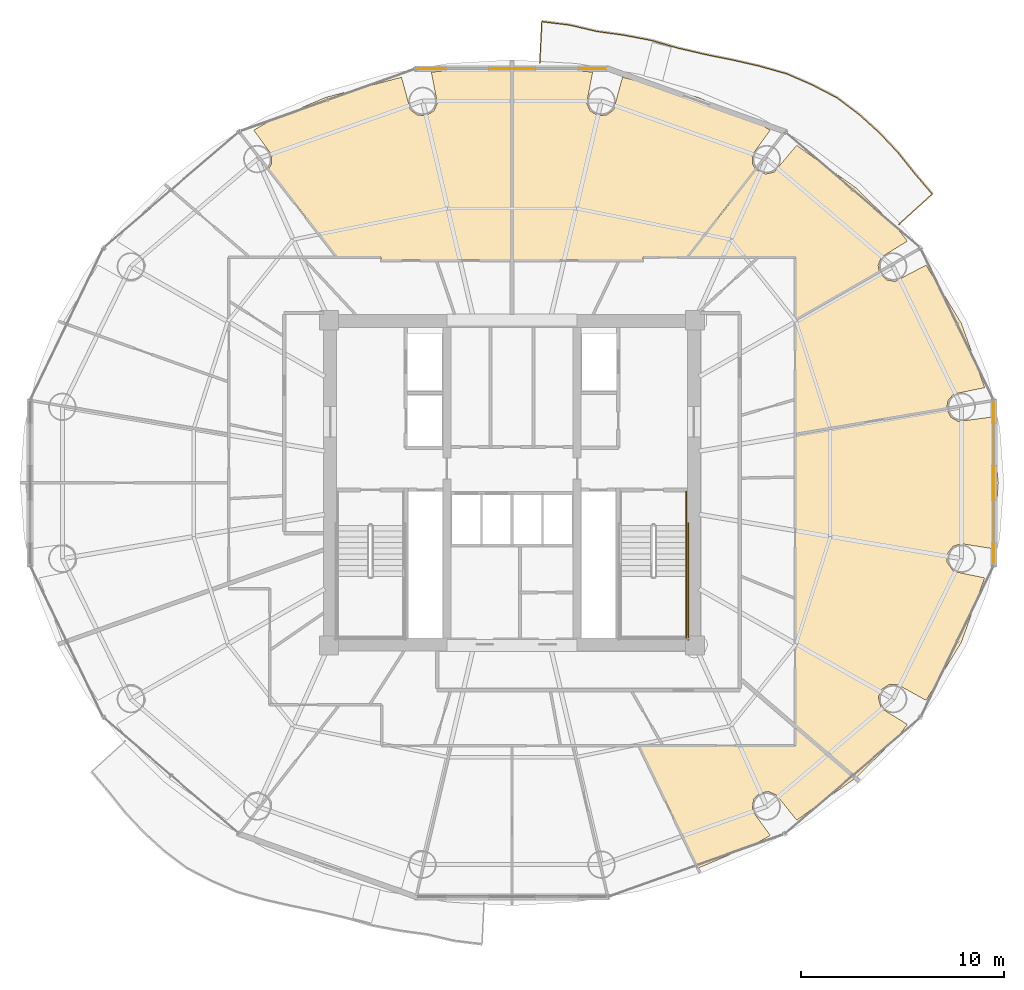
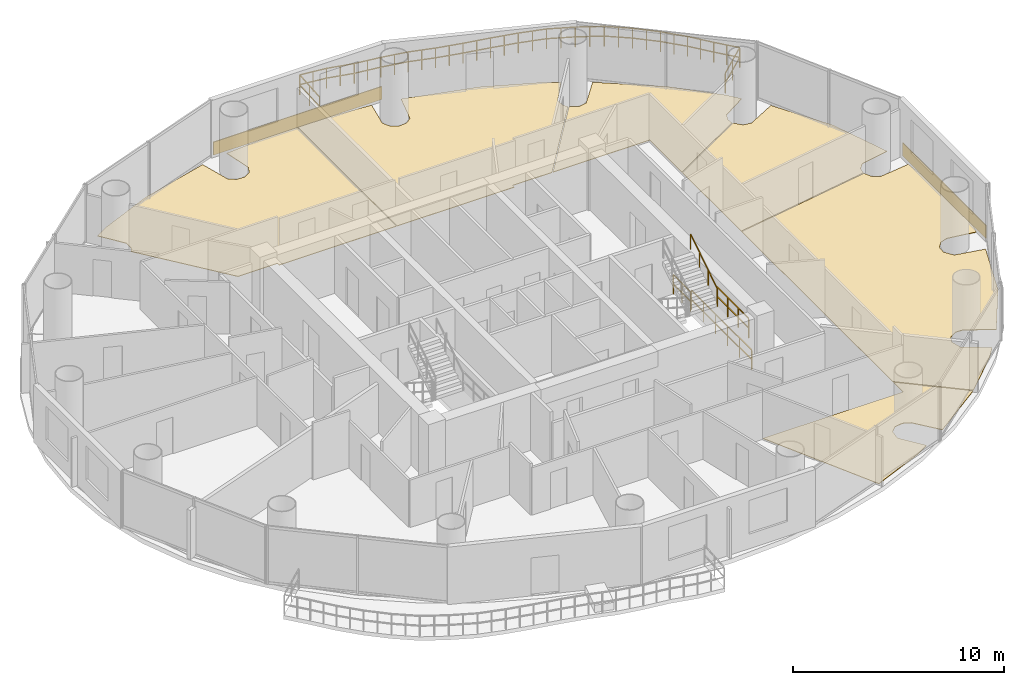
# One storey, part 27 of 27: 8 coverings, 5 railings.
"""IFC4 building model written with IfcOpenShell, lengths in metres."""

from ifc_helpers import new_model, si_unit, direction, frame, origin, origin_2d, place, context, subcontext, project, spatial, polyline, rectangle, outline, extrude, source, transform, mapped, material, layer, layer_set, type_object, element, save


model = new_model("IFC4")

# Units and contexts
model_context = context("Model", 3, precision=1e-05, world=origin(), true_north=direction((-0.2419218956, 0.970295726276)))
body_context = subcontext(model_context, "Body", "Model", "MODEL_VIEW")
ifc_project = project(units=[si_unit("LENGTHUNIT", "METRE"), si_unit("AREAUNIT", "SQUARE_METRE"), si_unit("VOLUMEUNIT", "CUBIC_METRE"), si_unit("PLANEANGLEUNIT", "RADIAN"), si_unit("MASSUNIT", "GRAM", prefix="KILO")], contexts=[model_context])

# Site, building, storey
site_placement = place(None, origin())
site = spatial("IfcSite", under=ifc_project, at=site_placement, CompositionType="ELEMENT")
building_placement = place(site_placement, origin())
building = spatial("IfcBuilding", under=site, at=building_placement, Name="Cobrevalo Terracotta Tower", CompositionType="ELEMENT")
storey_placement = place(building_placement, frame((0.0, 0.0, 153.39990234375)))
storey = spatial("IfcBuildingStorey", under=building, at=storey_placement, Name="L40", CompositionType="ELEMENT", Elevation=153.39990234375)

# Railing
ifc_material_1 = material(Name="Laminated structural glass and stainless steel", Category="steel")
railing_type_1 = type_object("IfcRailingType", Name="Balcony lobe structural glass & terracotta-cap balustrade 1180 mm", PredefinedType="BALUSTRADE", material=ifc_material_1)
railing_1_placement = place(storey_placement, frame((57.02685546875, 39.507568359375, 0.0)))
element("IfcRailing", 1, at=railing_1_placement, inside=storey, type_object=railing_type_1, Name="L40 spiralling balcony lobe balustrade 1", PredefinedType="BALUSTRADE", context=body_context, shape_type="SweptSolid", body=[
    extrude(rectangle(XDim=0.048095703125, YDim=0.048095703125, at=origin_2d()), frame((0.0, 0.0, 1.15576171875), z_axis=(0.742051462517, 0.670342917451, 0.0), x_axis=(-0.670342917451, 0.742051462517, 0.0)), (0.0, 0.0, 1.0), 2.2197265625),
    extrude(rectangle(XDim=0.048095703125, YDim=0.048095703125, at=origin_2d()), frame((0.0, 0.0, 0.58984375), z_axis=(0.742051462517, 0.670342917451, 0.0), x_axis=(-0.670342917451, 0.742051462517, 0.0)), (0.0, 0.0, 1.0), 2.2197265625),
    extrude(rectangle(XDim=0.048095703125, YDim=0.048095703125, at=origin_2d()), frame((1.647216796875, 1.488037109375, 1.15576171875), z_axis=(-0.647934817662, 0.761695787084, 0.0), x_axis=(-0.761695787084, -0.647934817662, 0.0)), (0.0, 0.0, 1.0), 1.311279296875),
    extrude(rectangle(XDim=0.048095703125, YDim=0.048095703125, at=origin_2d()), frame((1.647216796875, 1.488037109375, 0.58984375), z_axis=(-0.647934817662, 0.761695787084, 0.0), x_axis=(-0.761695787084, -0.647934817662, 0.0)), (0.0, 0.0, 1.0), 1.311279296875),
    extrude(rectangle(XDim=0.048095703125, YDim=0.048095703125, at=origin_2d()), frame((0.797607421875, 2.48681640625, 1.15576171875), z_axis=(-0.624762291949, 0.780815009179, 0.0), x_axis=(-0.780815009179, -0.624762291949, 0.0)), (0.0, 0.0, 1.0), 1.328125),
    extrude(rectangle(XDim=0.048095703125, YDim=0.048095703125, at=origin_2d()), frame((0.797607421875, 2.48681640625, 0.58984375), z_axis=(-0.624762291949, 0.780815009179, 0.0), x_axis=(-0.780815009179, -0.624762291949, 0.0)), (0.0, 0.0, 1.0), 1.328125),
    extrude(rectangle(XDim=0.048095703125, YDim=0.048095703125, at=origin_2d()), frame((-0.0322265625, 3.52392578125, 1.15576171875), z_axis=(-0.684315690191, 0.72918587216, 0.0), x_axis=(-0.72918587216, -0.684315690191, 0.0)), (0.0, 0.0, 1.0), 1.343994140625),
    extrude(rectangle(XDim=0.048095703125, YDim=0.048095703125, at=origin_2d()), frame((-0.0322265625, 3.52392578125, 0.58984375), z_axis=(-0.684315690191, 0.72918587216, 0.0), x_axis=(-0.72918587216, -0.684315690191, 0.0)), (0.0, 0.0, 1.0), 1.343994140625),
    extrude(rectangle(XDim=0.048095703125, YDim=0.048095703125, at=origin_2d()), frame((-0.951904296875, 4.50390625, 1.15576171875), z_axis=(-0.741689331674, 0.670743568945, 0.0), x_axis=(-0.670743568945, -0.741689331674, 0.0)), (0.0, 0.0, 1.0), 1.35595703125),
    extrude(rectangle(XDim=0.048095703125, YDim=0.048095703125, at=origin_2d()), frame((-0.951904296875, 4.50390625, 0.58984375), z_axis=(-0.741689331674, 0.670743568945, 0.0), x_axis=(-0.670743568945, -0.741689331674, 0.0)), (0.0, 0.0, 1.0), 1.35595703125),
    extrude(rectangle(XDim=0.048095703125, YDim=0.048095703125, at=origin_2d()), frame((-1.95751953125, 5.413330078125, 1.15576171875), z_axis=(-0.799027379931, 0.601294641686, 0.0), x_axis=(-0.601294641686, -0.799027379931, 0.0)), (0.0, 0.0, 1.0), 1.35693359375),
    extrude(rectangle(XDim=0.048095703125, YDim=0.048095703125, at=origin_2d()), frame((-1.95751953125, 5.413330078125, 0.58984375), z_axis=(-0.799027379931, 0.601294641686, 0.0), x_axis=(-0.601294641686, -0.799027379931, 0.0)), (0.0, 0.0, 1.0), 1.35693359375),
    extrude(rectangle(XDim=0.048095703125, YDim=0.048095703125, at=origin_2d()), frame((-3.041748046875, 6.229248046875, 1.15576171875), z_axis=(-0.886882256916, 0.461995522021, 0.0), x_axis=(-0.461995522021, -0.886882256916, 0.0)), (0.0, 0.0, 1.0), 1.375),
    extrude(rectangle(XDim=0.048095703125, YDim=0.048095703125, at=origin_2d()), frame((-3.041748046875, 6.229248046875, 0.58984375), z_axis=(-0.886882256916, 0.461995522021, 0.0), x_axis=(-0.461995522021, -0.886882256916, 0.0)), (0.0, 0.0, 1.0), 1.375),
    extrude(rectangle(XDim=0.048095703125, YDim=0.048095703125, at=origin_2d()), frame((-4.26123046875, 6.864501953125, 1.15576171875), z_axis=(-0.917598955112, 0.397507430846, 0.0), x_axis=(-0.397507430846, -0.917598955112, 0.0)), (0.0, 0.0, 1.0), 1.3701171875),
    extrude(rectangle(XDim=0.048095703125, YDim=0.048095703125, at=origin_2d()), frame((-4.26123046875, 6.864501953125, 0.58984375), z_axis=(-0.917598955112, 0.397507430846, 0.0), x_axis=(-0.397507430846, -0.917598955112, 0.0)), (0.0, 0.0, 1.0), 1.3701171875),
    extrude(rectangle(XDim=0.048095703125, YDim=0.048095703125, at=origin_2d()), frame((-5.5185546875, 7.4091796875, 1.15576171875), z_axis=(-0.962375413587, 0.271723321271, 0.0), x_axis=(-0.271723321271, -0.962375413587, 0.0)), (0.0, 0.0, 1.0), 1.38818359375),
    extrude(rectangle(XDim=0.048095703125, YDim=0.048095703125, at=origin_2d()), frame((-5.5185546875, 7.4091796875, 0.58984375), z_axis=(-0.962375413587, 0.271723321271, 0.0), x_axis=(-0.271723321271, -0.962375413587, 0.0)), (0.0, 0.0, 1.0), 1.38818359375),
    extrude(rectangle(XDim=0.048095703125, YDim=0.048095703125, at=origin_2d()), frame((-6.8544921875, 7.786376953125, 1.15576171875), z_axis=(-0.975018250217, 0.222124766167, 0.0), x_axis=(-0.222124766167, -0.975018250217, 0.0)), (0.0, 0.0, 1.0), 1.382568359375),
    extrude(rectangle(XDim=0.048095703125, YDim=0.048095703125, at=origin_2d()), frame((-6.8544921875, 7.786376953125, 0.58984375), z_axis=(-0.975018250217, 0.222124766167, 0.0), x_axis=(-0.222124766167, -0.975018250217, 0.0)), (0.0, 0.0, 1.0), 1.382568359375),
    extrude(rectangle(XDim=0.048095703125, YDim=0.048095703125, at=origin_2d()), frame((-8.20263671875, 8.093505859375, 1.15576171875), z_axis=(-0.980138832161, 0.198312555551, 0.0), x_axis=(-0.198312555551, -0.980138832161, 0.0)), (0.0, 0.0, 1.0), 1.36767578125),
    extrude(rectangle(XDim=0.048095703125, YDim=0.048095703125, at=origin_2d()), frame((-8.20263671875, 8.093505859375, 0.58984375), z_axis=(-0.980138832161, 0.198312555551, 0.0), x_axis=(-0.198312555551, -0.980138832161, 0.0)), (0.0, 0.0, 1.0), 1.36767578125),
    extrude(rectangle(XDim=0.048095703125, YDim=0.048095703125, at=origin_2d()), frame((-9.543212890625, 8.36474609375, 1.15576171875), z_axis=(-0.973684789971, 0.227898946418, 0.0), x_axis=(-0.227898946418, -0.973684789971, 0.0)), (0.0, 0.0, 1.0), 1.360595703125),
    extrude(rectangle(XDim=0.048095703125, YDim=0.048095703125, at=origin_2d()), frame((-9.543212890625, 8.36474609375, 0.58984375), z_axis=(-0.973684789971, 0.227898946418, 0.0), x_axis=(-0.227898946418, -0.973684789971, 0.0)), (0.0, 0.0, 1.0), 1.360595703125),
    extrude(rectangle(XDim=0.048095703125, YDim=0.048095703125, at=origin_2d()), frame((-10.867919921875, 8.6748046875, 1.15576171875), z_axis=(-0.960517358341, 0.278220064562, 0.0), x_axis=(-0.278220064562, -0.960517358341, 0.0)), (0.0, 0.0, 1.0), 1.35400390625),
    extrude(rectangle(XDim=0.048095703125, YDim=0.048095703125, at=origin_2d()), frame((-10.867919921875, 8.6748046875, 0.58984375), z_axis=(-0.960517358341, 0.278220064562, 0.0), x_axis=(-0.278220064562, -0.960517358341, 0.0)), (0.0, 0.0, 1.0), 1.35400390625),
    extrude(rectangle(XDim=0.048095703125, YDim=0.048095703125, at=origin_2d()), frame((-12.16845703125, 9.051513671875, 1.15576171875), z_axis=(-0.982332289889, 0.187145056687, 0.0), x_axis=(-0.187145056687, -0.982332289889, 0.0)), (0.0, 0.0, 1.0), 1.362060546875),
    extrude(rectangle(XDim=0.048095703125, YDim=0.048095703125, at=origin_2d()), frame((-12.16845703125, 9.051513671875, 0.58984375), z_axis=(-0.982332289889, 0.187145056687, 0.0), x_axis=(-0.187145056687, -0.982332289889, 0.0)), (0.0, 0.0, 1.0), 1.362060546875),
    extrude(rectangle(XDim=0.048095703125, YDim=0.048095703125, at=origin_2d()), frame((-13.50634765625, 9.306396484375, 1.15576171875), z_axis=(-0.990549118251, 0.137158464313, 0.0), x_axis=(-0.137158464313, -0.990549118251, 0.0)), (0.0, 0.0, 1.0), 1.363525390625),
    extrude(rectangle(XDim=0.048095703125, YDim=0.048095703125, at=origin_2d()), frame((-13.50634765625, 9.306396484375, 0.58984375), z_axis=(-0.990549118251, 0.137158464313, 0.0), x_axis=(-0.137158464313, -0.990549118251, 0.0)), (0.0, 0.0, 1.0), 1.363525390625),
    extrude(rectangle(XDim=0.048095703125, YDim=0.048095703125, at=origin_2d()), frame((-14.85693359375, 9.493408203125, 1.15576171875), z_axis=(-0.973463750621, 0.228841268626, 0.0), x_axis=(-0.228841268626, -0.973463750621, 0.0)), (0.0, 0.0, 1.0), 1.3740234375),
    extrude(rectangle(XDim=0.048095703125, YDim=0.048095703125, at=origin_2d()), frame((-14.85693359375, 9.493408203125, 0.58984375), z_axis=(-0.973463750621, 0.228841268626, 0.0), x_axis=(-0.228841268626, -0.973463750621, 0.0)), (0.0, 0.0, 1.0), 1.3740234375),
    extrude(rectangle(XDim=0.048095703125, YDim=0.048095703125, at=origin_2d()), frame((-16.194580078125, 9.807861328125, 1.15576171875), z_axis=(-0.992646916358, 0.121045856788, 0.0), x_axis=(-0.121045856788, -0.992646916358, 0.0)), (0.0, 0.0, 1.0), 1.37744140625),
    extrude(rectangle(XDim=0.048095703125, YDim=0.048095703125, at=origin_2d()), frame((-16.194580078125, 9.807861328125, 0.58984375), z_axis=(-0.992646916358, 0.121045856788, 0.0), x_axis=(-0.121045856788, -0.992646916358, 0.0)), (0.0, 0.0, 1.0), 1.37744140625),
    extrude(rectangle(XDim=0.048095703125, YDim=0.048095703125, at=origin_2d()), frame((-17.56201171875, 9.974609375, 1.15576171875), z_axis=(-0.048910770343, -0.99880315205, 0.0), x_axis=(0.99880315205, -0.048910770343, 0.0)), (0.0, 0.0, 1.0), 2.051513671875),
    extrude(rectangle(XDim=0.048095703125, YDim=0.048095703125, at=origin_2d()), frame((-17.56201171875, 9.974609375, 0.58984375), z_axis=(-0.048910770343, -0.99880315205, 0.0), x_axis=(0.99880315205, -0.048910770343, 0.0)), (0.0, 0.0, 1.0), 2.051513671875),
    extrude(rectangle(XDim=0.0419921875, YDim=0.0419921875, at=origin_2d()), origin(), (0.0, 0.0, 1.0), 1.1318359375),
    extrude(rectangle(XDim=0.0419921875, YDim=0.0419921875, at=origin_2d()), frame((0.82373046875, 0.744140625, 0.0)), (0.0, 0.0, 1.0), 1.1318359375),
    extrude(rectangle(XDim=0.0419921875, YDim=0.0419921875, at=origin_2d()), frame((1.647216796875, 1.488037109375, 0.0)), (0.0, 0.0, 1.0), 1.1318359375),
    extrude(rectangle(XDim=0.0419921875, YDim=0.0419921875, at=origin_2d()), frame((1.222412109375, 1.9873046875, 0.0)), (0.0, 0.0, 1.0), 1.1318359375),
    extrude(rectangle(XDim=0.0419921875, YDim=0.0419921875, at=origin_2d()), frame((0.797607421875, 2.48681640625, 0.0)), (0.0, 0.0, 1.0), 1.1318359375),
    extrude(rectangle(XDim=0.0419921875, YDim=0.0419921875, at=origin_2d()), frame((0.3828125, 3.00537109375, 0.0)), (0.0, 0.0, 1.0), 1.1318359375),
    extrude(rectangle(XDim=0.0419921875, YDim=0.0419921875, at=origin_2d()), frame((-0.0322265625, 3.52392578125, 0.0)), (0.0, 0.0, 1.0), 1.1318359375),
    extrude(rectangle(XDim=0.0419921875, YDim=0.0419921875, at=origin_2d()), frame((-0.4921875, 4.013916015625, 0.0)), (0.0, 0.0, 1.0), 1.1318359375),
    extrude(rectangle(XDim=0.0419921875, YDim=0.0419921875, at=origin_2d()), frame((-0.951904296875, 4.50390625, 0.0)), (0.0, 0.0, 1.0), 1.1318359375),
    extrude(rectangle(XDim=0.0419921875, YDim=0.0419921875, at=origin_2d()), frame((-1.45458984375, 4.95849609375, 0.0)), (0.0, 0.0, 1.0), 1.1318359375),
    extrude(rectangle(XDim=0.0419921875, YDim=0.0419921875, at=origin_2d()), frame((-1.95751953125, 5.413330078125, 0.0)), (0.0, 0.0, 1.0), 1.1318359375),
    extrude(rectangle(XDim=0.0419921875, YDim=0.0419921875, at=origin_2d()), frame((-2.49951171875, 5.8212890625, 0.0)), (0.0, 0.0, 1.0), 1.1318359375),
    extrude(rectangle(XDim=0.0419921875, YDim=0.0419921875, at=origin_2d()), frame((-3.041748046875, 6.229248046875, 0.0)), (0.0, 0.0, 1.0), 1.1318359375),
    extrude(rectangle(XDim=0.0419921875, YDim=0.0419921875, at=origin_2d()), frame((-3.6513671875, 6.546875, 0.0)), (0.0, 0.0, 1.0), 1.1318359375),
    extrude(rectangle(XDim=0.0419921875, YDim=0.0419921875, at=origin_2d()), frame((-4.26123046875, 6.864501953125, 0.0)), (0.0, 0.0, 1.0), 1.1318359375),
    extrude(rectangle(XDim=0.0419921875, YDim=0.0419921875, at=origin_2d()), frame((-4.889892578125, 7.13671875, 0.0)), (0.0, 0.0, 1.0), 1.1318359375),
    extrude(rectangle(XDim=0.0419921875, YDim=0.0419921875, at=origin_2d()), frame((-5.5185546875, 7.4091796875, 0.0)), (0.0, 0.0, 1.0), 1.1318359375),
    extrude(rectangle(XDim=0.0419921875, YDim=0.0419921875, at=origin_2d()), frame((-6.1865234375, 7.59765625, 0.0)), (0.0, 0.0, 1.0), 1.1318359375),
    extrude(rectangle(XDim=0.0419921875, YDim=0.0419921875, at=origin_2d()), frame((-6.8544921875, 7.786376953125, 0.0)), (0.0, 0.0, 1.0), 1.1318359375),
    extrude(rectangle(XDim=0.0419921875, YDim=0.0419921875, at=origin_2d()), frame((-7.528564453125, 7.93994140625, 0.0)), (0.0, 0.0, 1.0), 1.1318359375),
    extrude(rectangle(XDim=0.0419921875, YDim=0.0419921875, at=origin_2d()), frame((-8.20263671875, 8.093505859375, 0.0)), (0.0, 0.0, 1.0), 1.1318359375),
    extrude(rectangle(XDim=0.0419921875, YDim=0.0419921875, at=origin_2d()), frame((-8.873046875, 8.22900390625, 0.0)), (0.0, 0.0, 1.0), 1.1318359375),
    extrude(rectangle(XDim=0.0419921875, YDim=0.0419921875, at=origin_2d()), frame((-9.543212890625, 8.36474609375, 0.0)), (0.0, 0.0, 1.0), 1.1318359375),
    extrude(rectangle(XDim=0.0419921875, YDim=0.0419921875, at=origin_2d()), frame((-10.20556640625, 8.519775390625, 0.0)), (0.0, 0.0, 1.0), 1.1318359375),
    extrude(rectangle(XDim=0.0419921875, YDim=0.0419921875, at=origin_2d()), frame((-10.867919921875, 8.6748046875, 0.0)), (0.0, 0.0, 1.0), 1.1318359375),
    extrude(rectangle(XDim=0.0419921875, YDim=0.0419921875, at=origin_2d()), frame((-11.51806640625, 8.86328125, 0.0)), (0.0, 0.0, 1.0), 1.1318359375),
    extrude(rectangle(XDim=0.0419921875, YDim=0.0419921875, at=origin_2d()), frame((-12.16845703125, 9.051513671875, 0.0)), (0.0, 0.0, 1.0), 1.1318359375),
    extrude(rectangle(XDim=0.0419921875, YDim=0.0419921875, at=origin_2d()), frame((-12.83740234375, 9.178955078125, 0.0)), (0.0, 0.0, 1.0), 1.1318359375),
    extrude(rectangle(XDim=0.0419921875, YDim=0.0419921875, at=origin_2d()), frame((-13.50634765625, 9.306396484375, 0.0)), (0.0, 0.0, 1.0), 1.1318359375),
    extrude(rectangle(XDim=0.0419921875, YDim=0.0419921875, at=origin_2d()), frame((-14.181640625, 9.39990234375, 0.0)), (0.0, 0.0, 1.0), 1.1318359375),
    extrude(rectangle(XDim=0.0419921875, YDim=0.0419921875, at=origin_2d()), frame((-14.85693359375, 9.493408203125, 0.0)), (0.0, 0.0, 1.0), 1.1318359375),
    extrude(rectangle(XDim=0.0419921875, YDim=0.0419921875, at=origin_2d()), frame((-15.52587890625, 9.650634765625, 0.0)), (0.0, 0.0, 1.0), 1.1318359375),
    extrude(rectangle(XDim=0.0419921875, YDim=0.0419921875, at=origin_2d()), frame((-16.194580078125, 9.807861328125, 0.0)), (0.0, 0.0, 1.0), 1.1318359375),
    extrude(rectangle(XDim=0.0419921875, YDim=0.0419921875, at=origin_2d()), frame((-16.87841796875, 9.89111328125, 0.0)), (0.0, 0.0, 1.0), 1.1318359375),
    extrude(rectangle(XDim=0.0419921875, YDim=0.0419921875, at=origin_2d()), frame((-17.56201171875, 9.974609375, 0.0)), (0.0, 0.0, 1.0), 1.1318359375),
    extrude(rectangle(XDim=0.0419921875, YDim=0.0419921875, at=origin_2d()), frame((-17.6123046875, 8.9501953125, 0.0)), (0.0, 0.0, 1.0), 1.1318359375),
    extrude(rectangle(XDim=0.0419921875, YDim=0.0419921875, at=origin_2d()), frame((-17.662353515625, 7.925537109375, 0.0)), (0.0, 0.0, 1.0), 1.1318359375),
])

# Coverings
ifc_material_2 = material(Name="Engineered Brazilian hardwood flooring", Category="wood")
ifc_layer_1 = layer(ifc_material_2, 0.028076171875)
ifc_layer_set_1 = layer_set([ifc_layer_1], Name="Engineered Brazilian hardwood flooring")
covering_type_1 = type_object("IfcCoveringType", Name="Engineered Hardwood Suite Flooring 28", PredefinedType="FLOORING", material=ifc_layer_set_1)
covering_1_placement = place(storey_placement, origin())
element("IfcCovering", 2, at=covering_1_placement, inside=storey, type_object=covering_type_1, Name="Flat L40A Penthouse Living and Dining Room floor finish", PredefinedType="FLOORING", context=body_context, shape_type="SweptSolid", body=[
    extrude(outline(polyline([(28.84521484375, 45.757568359375), (32.567138671875, 46.75), (32.99951171875, 45.150390625), (33.3408203125, 44.88916015625), (33.76953125, 44.861328125), (34.141357421875, 45.07666015625), (34.3310546875, 45.462158203125), (34.02880859375, 46.99951171875), (37.97998046875, 47.31884765625), (37.97998046875, 37.7451171875), (31.554931640625, 37.7451171875), (31.554931640625, 37.905029296875), (29.392333984375, 37.905029296875), (26.02490234375, 42.236572265625), (26.175537109375, 42.4931640625), (26.184326171875, 42.9228515625), (25.295166015625, 44.143798828125), (26.038818359375, 44.5703125), (28.84521484375, 45.757568359375)])), origin(), (0.0, 0.0, 1.0), 0.030029296875),
])
covering_2_placement = place(storey_placement, origin())
element("IfcCovering", 3, at=covering_2_placement, inside=storey, type_object=covering_type_1, Name="Flat L40B Penthouse Family Lounge floor finish", PredefinedType="FLOORING", context=body_context, shape_type="SweptSolid", body=[
    extrude(outline(polyline([(47.156982421875, 7.84521484375), (44.265380859375, 13.844970703125), (51.955078125, 13.844970703125), (51.955078125, 14.779296875), (54.880126953125, 12.264892578125), (52.00244140625, 10.2001953125), (51.00927734375, 11.439697265625), (50.61572265625, 11.6123046875), (50.192626953125, 11.537109375), (49.8828125, 11.239501953125), (49.815673828125, 10.67724609375), (50.704833984375, 9.4560546875), (49.961181640625, 9.02978515625), (47.156982421875, 7.84521484375)])), origin(), (0.0, 0.0, 1.0), 0.030029296875),
])
covering_3_placement = place(storey_placement, origin())
element("IfcCovering", 4, at=covering_3_placement, inside=storey, type_object=covering_type_1, Name="Flat L40C Penthouse Living and Dining Room floor finish", PredefinedType="FLOORING", context=body_context, shape_type="SweptSolid", body=[
    extrude(outline(polyline([(58.367431640625, 16.09375), (56.982177734375, 16.863525390625), (56.552734375, 16.874267578125), (56.189697265625, 16.64453125), (56.01513671875, 16.251953125), (56.165771484375, 15.705810546875), (57.448486328125, 14.91357421875), (56.97802734375, 14.309326171875), (54.9111328125, 12.291015625), (51.955078125, 14.83203125), (51.955078125, 29.16552734375), (59.388427734375, 30.436279296875), (59.578369140625, 30.028076171875), (59.951416015625, 29.814697265625), (61.58642578125, 30.03369140625), (61.919921875, 26.800048828125), (61.71533203125, 24.1220703125), (61.58642578125, 23.566162109375), (60.09521484375, 23.8037109375), (59.687744140625, 23.667236328125), (59.425048828125, 23.327392578125), (59.395263671875, 22.898681640625), (59.7236328125, 22.43701171875), (61.251708984375, 22.121826171875), (60.099609375, 18.948486328125), (58.367431640625, 16.09375)])), origin(), (0.0, 0.0, 1.0), 0.030029296875),
])
covering_4_placement = place(storey_placement, origin())
element("IfcCovering", 5, at=covering_4_placement, inside=storey, type_object=covering_type_1, Name="Flat L40C Master Bedroom floor finish", PredefinedType="FLOORING", context=body_context, shape_type="SweptSolid", body=[
    extrude(outline(polyline([(56.070068359375, 37.154541015625), (56.417236328125, 36.77783203125), (56.8408203125, 36.70458984375), (58.367431640625, 37.50634765625), (60.099609375, 34.651611328125), (61.251708984375, 31.478271484375), (59.7236328125, 31.1630859375), (59.44140625, 30.8388671875), (59.382568359375, 30.47607421875), (51.955078125, 29.2060546875), (51.955078125, 34.791259765625), (56.070068359375, 37.154541015625)])), origin(), (0.0, 0.0, 1.0), 0.030029296875),
])
covering_5_placement = place(storey_placement, origin())
element("IfcCovering", 6, at=covering_5_placement, inside=storey, type_object=covering_type_1, Name="Flat L40C Principal Guest Bedroom floor finish", PredefinedType="FLOORING", context=body_context, shape_type="SweptSolid", body=[
    extrude(outline(polyline([(46.658447265625, 37.905029296875), (50.002197265625, 42.20654296875), (50.470703125, 41.98486328125), (50.890380859375, 42.0771484375), (52.00244140625, 43.39990234375), (54.9150390625, 41.308837890625), (56.97802734375, 39.29052734375), (57.448486328125, 38.6865234375), (56.165771484375, 37.89404296875), (56.011474609375, 37.4931640625), (56.05615234375, 37.192626953125), (51.955078125, 34.83740234375), (51.955078125, 37.905029296875), (46.658447265625, 37.905029296875)])), origin(), (0.0, 0.0, 1.0), 0.030029296875),
])
covering_6_placement = place(storey_placement, origin())
element("IfcCovering", 7, at=covering_6_placement, inside=storey, type_object=covering_type_1, Name="Flat L40C Penthouse Family Lounge floor finish", PredefinedType="FLOORING", context=body_context, shape_type="SweptSolid", body=[
    extrude(outline(polyline([(44.445068359375, 37.7451171875), (38.02001953125, 37.7451171875), (38.02001953125, 47.31884765625), (41.97119140625, 46.99951171875), (41.6689453125, 45.462158203125), (41.858642578125, 45.07666015625), (42.23046875, 44.861328125), (42.6591796875, 44.88916015625), (43.00048828125, 45.150390625), (43.432861328125, 46.75), (47.15478515625, 45.757568359375), (49.961181640625, 44.5703125), (50.704833984375, 44.143798828125), (49.815673828125, 42.9228515625), (49.824462890625, 42.4931640625), (49.97509765625, 42.236572265625), (46.607666015625, 37.905029296875), (44.445068359375, 37.905029296875), (44.445068359375, 37.7451171875)])), origin(), (0.0, 0.0, 1.0), 0.030029296875),
])

# Railings
ifc_material_3 = material(Name="Brushed stainless steel", Category="steel")
railing_type_2 = type_object("IfcRailingType", Name="Stainless Steel Stair Handrail 900", PredefinedType="HANDRAIL", material=ifc_material_3)
railing_2_placement = place(storey_placement, frame((46.574951171875, 22.179931640625, 1.97998046875)))
element("IfcRailing", 8, at=railing_2_placement, inside=storey, type_object=railing_type_2, Name="L40 ST-2 stair handrail 2", PredefinedType="HANDRAIL", context=body_context, shape_type="SweptSolid", body=[
    extrude(rectangle(XDim=0.048095703125, YDim=0.048095703125, at=origin_2d()), frame((0.0, 0.0, 0.8759765625), z_axis=(0.0, 0.841162588446, 0.540782303519), x_axis=(-1.0, 0.0, 0.0)), (0.0, 0.0, 1.0), 2.995849609375),
    extrude(rectangle(XDim=0.0419921875, YDim=0.0419921875, at=origin_2d()), origin(), (0.0, 0.0, 1.0), 0.851806640625),
    extrude(rectangle(XDim=0.0419921875, YDim=0.0419921875, at=origin_2d()), frame((0.0, 0.840087890625, 0.5400390625)), (0.0, 0.0, 1.0), 0.851806640625),
    extrude(rectangle(XDim=0.0419921875, YDim=0.0419921875, at=origin_2d()), frame((0.0, 1.679931640625, 1.080078125)), (0.0, 0.0, 1.0), 0.851806640625),
    extrude(rectangle(XDim=0.0419921875, YDim=0.0419921875, at=origin_2d()), frame((0.0, 2.52001953125, 1.6201171875)), (0.0, 0.0, 1.0), 0.851806640625),
])
ifc_material_4 = material(Name="Painted galvanized steel", Category="steel")
railing_type_3 = type_object("IfcRailingType", Name="Stair Well Guard Balustrade 1150", PredefinedType="GUARDRAIL", material=ifc_material_4)
railing_3_placement = place(storey_placement, frame((46.574951171875, 22.179931640625, 1.800048828125)))
element("IfcRailing", 9, at=railing_3_placement, inside=storey, type_object=railing_type_3, Name="L40 ST-2 stair guard 4", PredefinedType="GUARDRAIL", context=body_context, shape_type="SweptSolid", body=[
    extrude(rectangle(XDim=0.048095703125, YDim=0.048095703125, at=origin_2d()), frame((0.0, 0.0, 1.1259765625), z_axis=(0.0, -1.0, 0.0), x_axis=(1.0, 0.0, 0.0)), (0.0, 0.0, 1.0), 3.0048828125),
    extrude(rectangle(XDim=0.048095703125, YDim=0.048095703125, at=origin_2d()), frame((0.0, 0.0, 0.574951171875), z_axis=(0.0, -1.0, 0.0), x_axis=(1.0, 0.0, 0.0)), (0.0, 0.0, 1.0), 3.0048828125),
    extrude(rectangle(XDim=0.0419921875, YDim=0.0419921875, at=origin_2d()), origin(), (0.0, 0.0, 1.0), 1.101806640625),
    extrude(rectangle(XDim=0.0419921875, YDim=0.0419921875, at=origin_2d()), frame((0.0, -1.001708984375, 0.0)), (0.0, 0.0, 1.0), 1.101806640625),
    extrude(rectangle(XDim=0.0419921875, YDim=0.0419921875, at=origin_2d()), frame((0.0, -2.003173828125, 0.0)), (0.0, 0.0, 1.0), 1.101806640625),
    extrude(rectangle(XDim=0.0419921875, YDim=0.0419921875, at=origin_2d()), frame((0.0, -3.0048828125, 0.0)), (0.0, 0.0, 1.0), 1.101806640625),
])
railing_4_placement = place(storey_placement, frame((46.574951171875, 26.35009765625, 0.0)))
element("IfcRailing", 10, at=railing_4_placement, inside=storey, type_object=railing_type_3, Name="L40 ST-2 stair guard 9", PredefinedType="GUARDRAIL", context=body_context, shape_type="SweptSolid", body=[
    extrude(rectangle(XDim=0.048095703125, YDim=0.048095703125, at=origin_2d()), frame((0.0, 0.0, 1.1259765625), z_axis=(0.0, -1.0, 0.0), x_axis=(1.0, 0.0, 0.0)), (0.0, 0.0, 1.0), 1.650146484375),
    extrude(rectangle(XDim=0.048095703125, YDim=0.048095703125, at=origin_2d()), frame((0.0, 0.0, 0.574951171875), z_axis=(0.0, -1.0, 0.0), x_axis=(1.0, 0.0, 0.0)), (0.0, 0.0, 1.0), 1.650146484375),
    extrude(rectangle(XDim=0.0419921875, YDim=0.0419921875, at=origin_2d()), origin(), (0.0, 0.0, 1.0), 1.101806640625),
    extrude(rectangle(XDim=0.0419921875, YDim=0.0419921875, at=origin_2d()), frame((0.0, -0.8251953125, 0.0)), (0.0, 0.0, 1.0), 1.101806640625),
    extrude(rectangle(XDim=0.0419921875, YDim=0.0419921875, at=origin_2d()), frame((0.0, -1.650146484375, 0.0)), (0.0, 0.0, 1.0), 1.101806640625),
])
railing_5_placement = place(storey_placement, frame((46.675048828125, 24.800048828125, 0.0)))
element("IfcRailing", 11, at=railing_5_placement, inside=storey, type_object=railing_type_3, Name="L40 ST-2 stair guard 11", PredefinedType="GUARDRAIL", context=body_context, shape_type="SweptSolid", body=[
    extrude(rectangle(XDim=0.048095703125, YDim=0.048095703125, at=origin_2d()), frame((0.0, 0.0, 1.1259765625), z_axis=(0.0, -1.0, 0.0), x_axis=(1.0, 0.0, 0.0)), (0.0, 0.0, 1.0), 5.72509765625),
    extrude(rectangle(XDim=0.048095703125, YDim=0.048095703125, at=origin_2d()), frame((0.0, 0.0, 0.574951171875), z_axis=(0.0, -1.0, 0.0), x_axis=(1.0, 0.0, 0.0)), (0.0, 0.0, 1.0), 5.72509765625),
    extrude(rectangle(XDim=0.0419921875, YDim=0.0419921875, at=origin_2d()), origin(), (0.0, 0.0, 1.0), 1.101806640625),
    extrude(rectangle(XDim=0.0419921875, YDim=0.0419921875, at=origin_2d()), frame((0.0, -1.14501953125, 0.0)), (0.0, 0.0, 1.0), 1.101806640625),
    extrude(rectangle(XDim=0.0419921875, YDim=0.0419921875, at=origin_2d()), frame((0.0, -2.2900390625, 0.0)), (0.0, 0.0, 1.0), 1.101806640625),
    extrude(rectangle(XDim=0.0419921875, YDim=0.0419921875, at=origin_2d()), frame((0.0, -3.43505859375, 0.0)), (0.0, 0.0, 1.0), 1.101806640625),
    extrude(rectangle(XDim=0.0419921875, YDim=0.0419921875, at=origin_2d()), frame((0.0, -4.580078125, 0.0)), (0.0, 0.0, 1.0), 1.101806640625),
    extrude(rectangle(XDim=0.0419921875, YDim=0.0419921875, at=origin_2d()), frame((0.0, -5.72509765625, 0.0)), (0.0, 0.0, 1.0), 1.101806640625),
])

# Coverings
ifc_material_5 = material(Name="Glazed terracotta facade cladding tile", Category="masonry")
ifc_layer_2 = layer(ifc_material_5, 0.044921875)
ifc_layer_set_2 = layer_set([ifc_layer_2], Name="Glazed terracotta facade cladding tile")
covering_type_2 = type_object("IfcCoveringType", Name="Architectural terracotta rainscreen spandrel cladding 45 mm", PredefinedType="CLADDING", material=ifc_layer_set_2)
shared_shape_1 = source(origin(), body_context, "Body", "SweptSolid", [
    extrude(rectangle(XDim=9.230712890625, YDim=0.044921875, at=origin_2d()), origin(), (0.0, 0.0, 1.0), 0.760009765625),
])
covering_7_placement = place(storey_placement, frame((38.0, 47.1708984375, 0.0400390625), z_axis=(0.0, 0.0, 1.0), x_axis=(-1.0, 0.0, 0.0)))
element("IfcCovering", 12, at=covering_7_placement, inside=storey, type_object=covering_type_2, Name="L40 terracotta spandrel cladding S04", PredefinedType="CLADDING", context=body_context, shape_type="MappedRepresentation", body=[
    mapped(shared_shape_1, transform((0.0, 0.0, 0.0), scale=1.0)),
])
shared_shape_2 = source(origin(), body_context, "Body", "SweptSolid", [
    extrude(rectangle(XDim=7.904052734375, YDim=0.044921875, at=origin_2d()), origin(), (0.0, 0.0, 1.0), 0.760009765625),
])
covering_8_placement = place(storey_placement, frame((61.70556640625, 26.800048828125, 0.0400390625), z_axis=(0.0, 0.0, 1.0), x_axis=(0.0, 1.0, 0.0)))
element("IfcCovering", 13, at=covering_8_placement, inside=storey, type_object=covering_type_2, Name="L40 terracotta spandrel cladding S16", PredefinedType="CLADDING", context=body_context, shape_type="MappedRepresentation", body=[
    mapped(shared_shape_2, transform((0.0, 0.0, 0.0), scale=1.0)),
])

save(model, "model.ifc")
